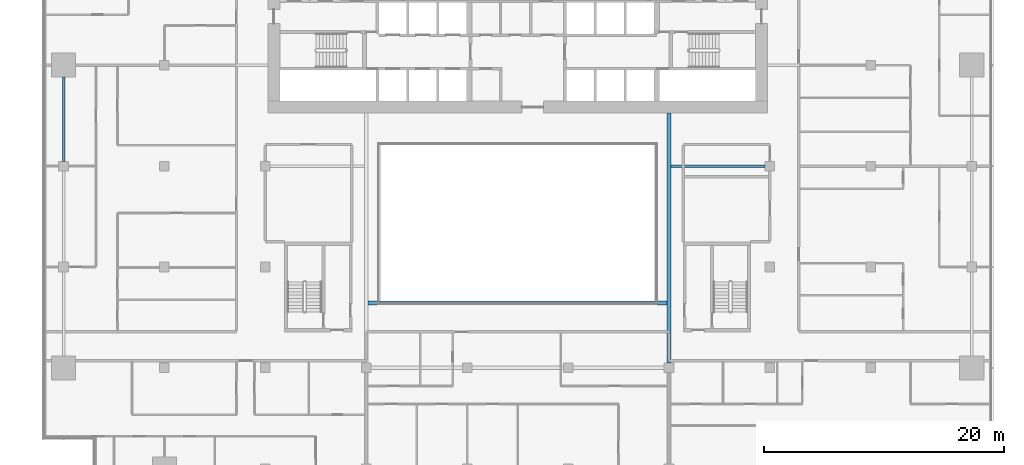
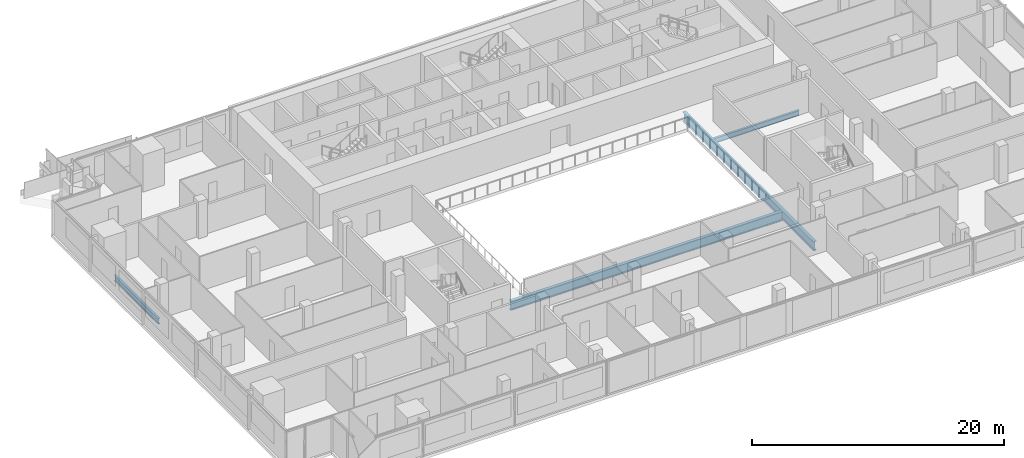
# One storey, part 9 of 30: 4 beams.
"""IFC4 building model written with IfcOpenShell, lengths in metres."""

from ifc_helpers import new_model, si_unit, direction, frame, origin, origin_2d, place, context, subcontext, project, spatial, i_section, extrude, material, material_profile, profile_set, type_object, element, save


model = new_model("IFC4")

# Units and contexts
model_context = context("Model", 3, precision=1e-05, world=origin(), true_north=direction((0.0, 1.0)))
body_context = subcontext(model_context, "Body", "Model", "MODEL_VIEW")
ifc_project = project(units=[si_unit("LENGTHUNIT", "METRE"), si_unit("AREAUNIT", "SQUARE_METRE"), si_unit("VOLUMEUNIT", "CUBIC_METRE"), si_unit("PLANEANGLEUNIT", "RADIAN"), si_unit("MASSUNIT", "GRAM", prefix="KILO")], contexts=[model_context])

# Site, building, storey
site_placement = place(None, origin())
site = spatial("IfcSite", under=ifc_project, at=site_placement, CompositionType="ELEMENT")
building_placement = place(site_placement, origin())
building = spatial("IfcBuilding", under=site, at=building_placement, Name="Saffron Gate Tower", CompositionType="ELEMENT")
storey_placement = place(building_placement, frame((0.0, 0.0, 127.64990234375)))
storey = spatial("IfcBuildingStorey", under=building, at=storey_placement, Name="L30", CompositionType="ELEMENT", Elevation=127.64990234375)

# Beams
ifc_material = material(Name="Structural steel S355", Category="steel")
ifc_material_profile_1 = material_profile(ifc_material, i_section(OverallWidth=0.199951171875, OverallDepth=0.5, WebThickness=0.01025390625, FlangeThickness=0.01611328125, FilletRadius=0.02099609375, at=origin_2d()))
ifc_profile_set_1 = profile_set([ifc_material_profile_1], Name="Structural steel S355")
beam_type_1 = type_object("IfcBeamType", Name="B10 IPE 500", PredefinedType="BEAM", material=ifc_profile_set_1)
beam_1_placement = place(storey_placement, frame((108.199951171875, 57.0, -0.52978515625), z_axis=(-1.0, 0.0, 0.0), x_axis=(0.0, -1.0, 0.0)))
element("IfcBeam", 1, at=beam_1_placement, inside=storey, type_object=beam_type_1, Name="B10 CORE TIE BEAM", PredefinedType="BEAM", context=body_context, shape_type="SweptSolid", body=[
    extrude(i_section(OverallWidth=0.199951171875, OverallDepth=0.5, WebThickness=0.01025390625, FlangeThickness=0.01611328125, FilletRadius=0.02099609375, at=origin_2d()), origin(), (0.0, 0.0, 1.0), 7.849853515625),
])
ifc_material_profile_2 = material_profile(ifc_material, i_section(OverallWidth=0.2099609375, OverallDepth=0.550048828125, WebThickness=0.010986328125, FlangeThickness=0.01708984375, FilletRadius=0.02392578125, at=origin_2d()))
ifc_profile_set_2 = profile_set([ifc_material_profile_2], Name="Structural steel S355")
beam_type_2 = type_object("IfcBeamType", Name="B13 IPE 550", PredefinedType="SPANDREL", material=ifc_profile_set_2)
beam_2_placement = place(storey_placement, frame((49.800048828125, 57.39990234375, -0.554931640625), z_axis=(0.0, 1.0, 0.0), x_axis=(-1.0, 0.0, 0.0)))
element("IfcBeam", 2, at=beam_2_placement, inside=storey, type_object=beam_type_2, Name="B13 SPANDREL BEAM", PredefinedType="SPANDREL", context=body_context, shape_type="SweptSolid", body=[
    extrude(i_section(OverallWidth=0.2099609375, OverallDepth=0.550048828125, WebThickness=0.010986328125, FlangeThickness=0.01708984375, FilletRadius=0.02392578125, at=origin_2d()), origin(), (0.0, 0.0, 1.0), 7.0),
])
ifc_material_profile_3 = material_profile(ifc_material, i_section(OverallWidth=0.300048828125, OverallDepth=0.889892578125, WebThickness=0.01611328125, FlangeThickness=0.030029296875, FilletRadius=0.030029296875, at=origin_2d()))
ifc_profile_set_3 = profile_set([ifc_material_profile_3], Name="Structural steel S355")
beam_type_3 = type_object("IfcBeamType", Name="B19 HEA 900", PredefinedType="BEAM", material=ifc_profile_set_3)
beam_3_placement = place(storey_placement, frame((100.199951171875, 40.60009765625, -0.724853515625), z_axis=(0.0, 1.0, 0.0), x_axis=(-1.0, 0.0, 0.0)))
element("IfcBeam", 3, at=beam_3_placement, inside=storey, type_object=beam_type_3, Name="B19 ATRIUM GIRDER", PredefinedType="BEAM", context=body_context, shape_type="SweptSolid", body=[
    extrude(i_section(OverallWidth=0.300048828125, OverallDepth=0.889892578125, WebThickness=0.01611328125, FlangeThickness=0.030029296875, FilletRadius=0.030029296875, at=origin_2d()), origin(), (0.0, 0.0, 1.0), 20.7998046875),
])
beam_4_placement = place(storey_placement, frame((75.14990234375, 45.60009765625, -0.724853515625), z_axis=(1.0, 0.0, 0.0), x_axis=(0.0, 1.0, 0.0)))
element("IfcBeam", 4, at=beam_4_placement, inside=storey, type_object=beam_type_3, Name="B19 ATRIUM GIRDER", PredefinedType="BEAM", context=body_context, shape_type="SweptSolid", body=[
    extrude(i_section(OverallWidth=0.300048828125, OverallDepth=0.889892578125, WebThickness=0.01611328125, FlangeThickness=0.030029296875, FilletRadius=0.030029296875, at=origin_2d()), origin(), (0.0, 0.0, 1.0), 24.900146484375),
])

save(model, "model.ifc")
